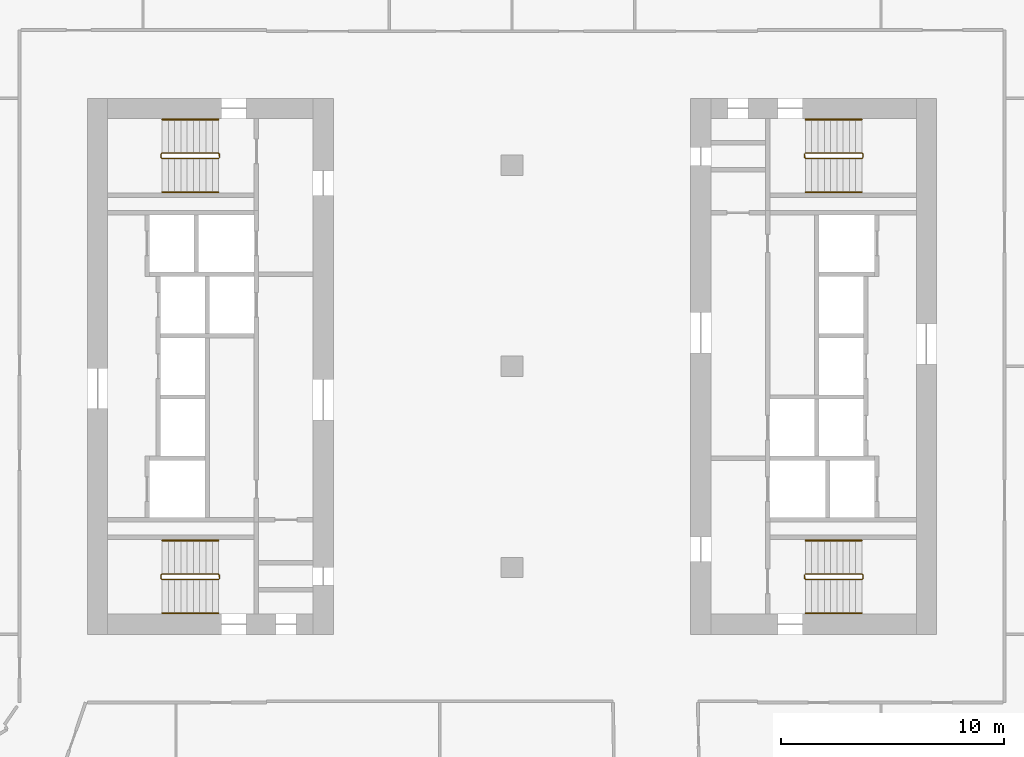
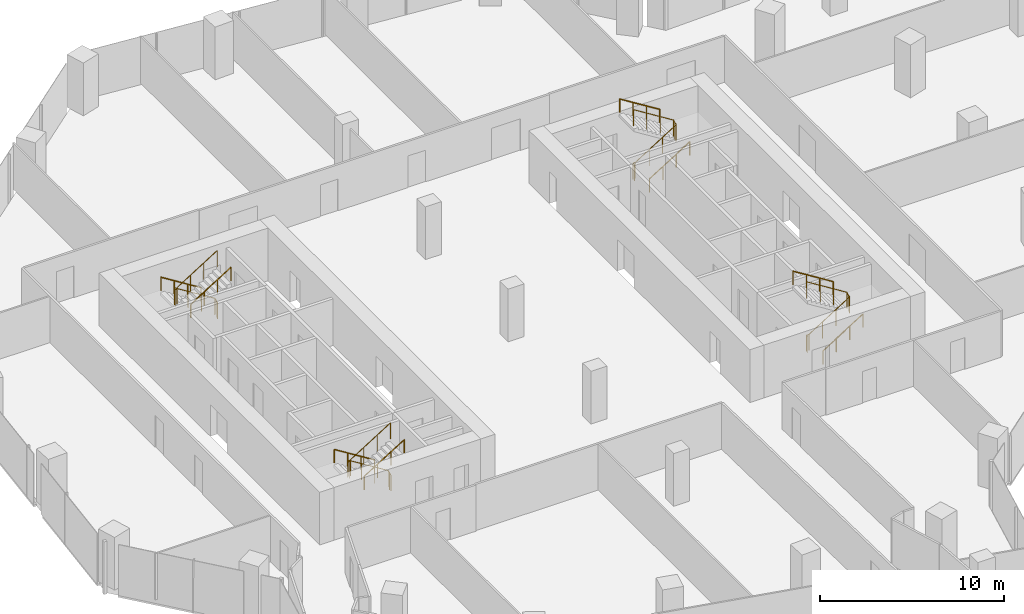
# One storey, part 24 of 24: 12 railings.
"""IFC4 building model written with IfcOpenShell, lengths in metres."""

from ifc_helpers import new_model, si_unit, direction, frame, origin, origin_2d, place, context, subcontext, project, spatial, circle, extrude, material, type_object, element, save


model = new_model("IFC4")

# Units and contexts
model_context = context("Model", 3, precision=1e-05, world=origin(), true_north=direction((0.0, 1.0)))
body_context = subcontext(model_context, "Body", "Model", "MODEL_VIEW")
ifc_project = project(units=[si_unit("LENGTHUNIT", "METRE"), si_unit("AREAUNIT", "SQUARE_METRE"), si_unit("VOLUMEUNIT", "CUBIC_METRE"), si_unit("PLANEANGLEUNIT", "RADIAN"), si_unit("MASSUNIT", "GRAM", prefix="KILO")], contexts=[model_context])

# Site, building, storey
site_placement = place(None, origin())
site = spatial("IfcSite", under=ifc_project, at=site_placement, CompositionType="ELEMENT")
building_placement = place(site_placement, origin())
building = spatial("IfcBuilding", under=site, at=building_placement, Name="Orlundy Tower", CompositionType="ELEMENT")
storey_placement = place(building_placement, frame((0.0, 0.0, 177.60009765625)))
storey = spatial("IfcBuildingStorey", under=building, at=storey_placement, Name="L46", CompositionType="ELEMENT", Elevation=177.60009765625)

# Railings
ifc_material_1 = material(Name="Steel balustrade", Category="steel")
railing_type_1 = type_object("IfcRailingType", Name="Stair Guard 1100", PredefinedType="GUARDRAIL", material=ifc_material_1)
railing_1_placement = place(storey_placement, frame((-13.090087890625, 9.5, 0.0)))
element("IfcRailing", 1, at=railing_1_placement, inside=storey, type_object=railing_type_1, Name="L46 ST-W1 stair guard 1", PredefinedType="GUARDRAIL", context=body_context, shape_type="SweptSolid", body=[
    extrude(circle(Radius=0.02392578125, at=origin_2d()), frame((0.0, 0.0, 1.076171875), z_axis=(0.0, -1.0, 0.0), x_axis=(1.0, 0.0, 0.0)), (0.0, 0.0, 1.0), 0.14990234375),
    extrude(circle(Radius=0.02392578125, at=origin_2d()), frame((0.0, -0.14990234375, 1.076171875), z_axis=(-0.184313129624, 0.739963005698, 0.646902945152), x_axis=(-0.970351222016, -0.241699205484, 0.0)), (0.0, 0.0, 1.0), 0.270263671875),
    extrude(circle(Radius=0.02392578125, at=origin_2d()), frame((-0.0498046875, 0.050048828125, 1.2509765625), z_axis=(-0.847970611238, 0.0, 0.530043245855), x_axis=(0.0, -1.0, 0.0)), (0.0, 0.0, 1.0), 2.971923828125),
    extrude(circle(Radius=0.02392578125, at=origin_2d()), frame((-2.56982421875, 0.050048828125, 2.826171875), z_axis=(-0.707106781187, -0.707106781187, 0.0), x_axis=(0.707106781187, -0.707106781187, 0.0)), (0.0, 0.0, 1.0), 0.07080078125),
    extrude(circle(Radius=0.02392578125, at=origin_2d()), frame((-2.619873046875, 0.0, 2.826171875), z_axis=(0.0, -1.0, 0.0), x_axis=(1.0, 0.0, 0.0)), (0.0, 0.0, 1.0), 0.14990234375),
    extrude(circle(Radius=0.02392578125, at=origin_2d()), frame((-2.619873046875, -0.14990234375, 2.826171875), z_axis=(0.265383341853, -0.265383341853, 0.926899867156), x_axis=(0.707106781187, 0.707106781187, 0.0)), (0.0, 0.0, 1.0), 0.1884765625),
    extrude(circle(Radius=0.02392578125, at=origin_2d()), frame((-2.56982421875, -0.199951171875, 3.0009765625), z_axis=(0.847970611238, 0.0, 0.530043245855), x_axis=(0.0, 1.0, 0.0)), (0.0, 0.0, 1.0), 2.971923828125),
    extrude(circle(Radius=0.02099609375, at=origin_2d()), origin(), (0.0, 0.0, 1.0), 1.052001953125),
    extrude(circle(Radius=0.02099609375, at=origin_2d()), frame((0.0, -0.14990234375, 0.0)), (0.0, 0.0, 1.0), 1.052001953125),
    extrude(circle(Radius=0.02099609375, at=origin_2d()), frame((-0.0498046875, 0.050048828125, 0.1748046875)), (0.0, 0.0, 1.0), 1.052001953125),
    extrude(circle(Radius=0.02099609375, at=origin_2d()), frame((-0.889892578125, 0.050048828125, 0.699951171875)), (0.0, 0.0, 1.0), 1.052001953125),
    extrude(circle(Radius=0.02099609375, at=origin_2d()), frame((-1.729736328125, 0.050048828125, 1.224853515625)), (0.0, 0.0, 1.0), 1.052001953125),
    extrude(circle(Radius=0.02099609375, at=origin_2d()), frame((-2.56982421875, 0.050048828125, 1.75)), (0.0, 0.0, 1.0), 1.052001953125),
    extrude(circle(Radius=0.02099609375, at=origin_2d()), frame((-2.619873046875, 0.0, 1.75)), (0.0, 0.0, 1.0), 1.052001953125),
    extrude(circle(Radius=0.02099609375, at=origin_2d()), frame((-2.619873046875, -0.14990234375, 1.75)), (0.0, 0.0, 1.0), 1.052001953125),
    extrude(circle(Radius=0.02099609375, at=origin_2d()), frame((-2.56982421875, -0.199951171875, 1.9248046875)), (0.0, 0.0, 1.0), 1.052001953125),
    extrude(circle(Radius=0.02099609375, at=origin_2d()), frame((-1.729736328125, -0.199951171875, 2.449951171875)), (0.0, 0.0, 1.0), 1.052001953125),
    extrude(circle(Radius=0.02099609375, at=origin_2d()), frame((-0.889892578125, -0.199951171875, 2.974853515625)), (0.0, 0.0, 1.0), 1.052001953125),
    extrude(circle(Radius=0.02099609375, at=origin_2d()), frame((-0.0498046875, -0.199951171875, 3.5)), (0.0, 0.0, 1.0), 1.052001953125),
])
railing_2_placement = place(storey_placement, frame((-13.090087890625, -9.35009765625, 0.0)))
element("IfcRailing", 2, at=railing_2_placement, inside=storey, type_object=railing_type_1, Name="L46 ST-W2 stair guard 1", PredefinedType="GUARDRAIL", context=body_context, shape_type="SweptSolid", body=[
    extrude(circle(Radius=0.02392578125, at=origin_2d()), frame((0.0, 0.0, 1.076171875), z_axis=(0.0, -1.0, 0.0), x_axis=(1.0, 0.0, 0.0)), (0.0, 0.0, 1.0), 0.14990234375),
    extrude(circle(Radius=0.02392578125, at=origin_2d()), frame((0.0, -0.14990234375, 1.076171875), z_axis=(-0.184313129624, 0.739963005698, 0.646902945152), x_axis=(-0.970351222016, -0.241699205484, 0.0)), (0.0, 0.0, 1.0), 0.270263671875),
    extrude(circle(Radius=0.02392578125, at=origin_2d()), frame((-0.0498046875, 0.050048828125, 1.2509765625), z_axis=(-0.847970611238, 0.0, 0.530043245855), x_axis=(0.0, -1.0, 0.0)), (0.0, 0.0, 1.0), 2.971923828125),
    extrude(circle(Radius=0.02392578125, at=origin_2d()), frame((-2.56982421875, 0.050048828125, 2.826171875), z_axis=(-0.707106781187, -0.707106781187, 0.0), x_axis=(0.707106781187, -0.707106781187, 0.0)), (0.0, 0.0, 1.0), 0.07080078125),
    extrude(circle(Radius=0.02392578125, at=origin_2d()), frame((-2.619873046875, 0.0, 2.826171875), z_axis=(0.0, -1.0, 0.0), x_axis=(1.0, 0.0, 0.0)), (0.0, 0.0, 1.0), 0.14990234375),
    extrude(circle(Radius=0.02392578125, at=origin_2d()), frame((-2.619873046875, -0.14990234375, 2.826171875), z_axis=(0.265383341853, -0.265383341853, 0.926899867156), x_axis=(0.707106781187, 0.707106781187, 0.0)), (0.0, 0.0, 1.0), 0.1884765625),
    extrude(circle(Radius=0.02392578125, at=origin_2d()), frame((-2.56982421875, -0.199951171875, 3.0009765625), z_axis=(0.847970611238, 0.0, 0.530043245855), x_axis=(0.0, 1.0, 0.0)), (0.0, 0.0, 1.0), 2.971923828125),
    extrude(circle(Radius=0.02099609375, at=origin_2d()), origin(), (0.0, 0.0, 1.0), 1.052001953125),
    extrude(circle(Radius=0.02099609375, at=origin_2d()), frame((0.0, -0.14990234375, 0.0)), (0.0, 0.0, 1.0), 1.052001953125),
    extrude(circle(Radius=0.02099609375, at=origin_2d()), frame((-0.0498046875, 0.050048828125, 0.1748046875)), (0.0, 0.0, 1.0), 1.052001953125),
    extrude(circle(Radius=0.02099609375, at=origin_2d()), frame((-0.889892578125, 0.050048828125, 0.699951171875)), (0.0, 0.0, 1.0), 1.052001953125),
    extrude(circle(Radius=0.02099609375, at=origin_2d()), frame((-1.729736328125, 0.050048828125, 1.224853515625)), (0.0, 0.0, 1.0), 1.052001953125),
    extrude(circle(Radius=0.02099609375, at=origin_2d()), frame((-2.56982421875, 0.050048828125, 1.75)), (0.0, 0.0, 1.0), 1.052001953125),
    extrude(circle(Radius=0.02099609375, at=origin_2d()), frame((-2.619873046875, 0.0, 1.75)), (0.0, 0.0, 1.0), 1.052001953125),
    extrude(circle(Radius=0.02099609375, at=origin_2d()), frame((-2.619873046875, -0.14990234375, 1.75)), (0.0, 0.0, 1.0), 1.052001953125),
    extrude(circle(Radius=0.02099609375, at=origin_2d()), frame((-2.56982421875, -0.199951171875, 1.9248046875)), (0.0, 0.0, 1.0), 1.052001953125),
    extrude(circle(Radius=0.02099609375, at=origin_2d()), frame((-1.729736328125, -0.199951171875, 2.449951171875)), (0.0, 0.0, 1.0), 1.052001953125),
    extrude(circle(Radius=0.02099609375, at=origin_2d()), frame((-0.889892578125, -0.199951171875, 2.974853515625)), (0.0, 0.0, 1.0), 1.052001953125),
    extrude(circle(Radius=0.02099609375, at=origin_2d()), frame((-0.0498046875, -0.199951171875, 3.5)), (0.0, 0.0, 1.0), 1.052001953125),
])
railing_3_placement = place(storey_placement, frame((13.090087890625, -9.5, 0.0)))
element("IfcRailing", 3, at=railing_3_placement, inside=storey, type_object=railing_type_1, Name="L46 ST-E1 stair guard 1", PredefinedType="GUARDRAIL", context=body_context, shape_type="SweptSolid", body=[
    extrude(circle(Radius=0.02392578125, at=origin_2d()), frame((0.0, 0.0, 1.076171875), z_axis=(0.0, 1.0, 0.0), x_axis=(-1.0, 0.0, 0.0)), (0.0, 0.0, 1.0), 0.14990234375),
    extrude(circle(Radius=0.02392578125, at=origin_2d()), frame((0.0, 0.14990234375, 1.076171875), z_axis=(0.184313129624, -0.739963005698, 0.646902945152), x_axis=(0.970351222016, 0.241699205484, 0.0)), (0.0, 0.0, 1.0), 0.270263671875),
    extrude(circle(Radius=0.02392578125, at=origin_2d()), frame((0.0498046875, -0.050048828125, 1.2509765625), z_axis=(0.847970611238, 0.0, 0.530043245855), x_axis=(0.0, 1.0, 0.0)), (0.0, 0.0, 1.0), 2.971923828125),
    extrude(circle(Radius=0.02392578125, at=origin_2d()), frame((2.56982421875, -0.050048828125, 2.826171875), z_axis=(0.707106781187, 0.707106781187, 0.0), x_axis=(-0.707106781187, 0.707106781187, 0.0)), (0.0, 0.0, 1.0), 0.07080078125),
    extrude(circle(Radius=0.02392578125, at=origin_2d()), frame((2.619873046875, 0.0, 2.826171875), z_axis=(0.0, 1.0, 0.0), x_axis=(-1.0, 0.0, 0.0)), (0.0, 0.0, 1.0), 0.14990234375),
    extrude(circle(Radius=0.02392578125, at=origin_2d()), frame((2.619873046875, 0.14990234375, 2.826171875), z_axis=(-0.265383341853, 0.265383341853, 0.926899867156), x_axis=(-0.707106781187, -0.707106781187, 0.0)), (0.0, 0.0, 1.0), 0.1884765625),
    extrude(circle(Radius=0.02392578125, at=origin_2d()), frame((2.56982421875, 0.199951171875, 3.0009765625), z_axis=(-0.847970611238, 0.0, 0.530043245855), x_axis=(0.0, -1.0, 0.0)), (0.0, 0.0, 1.0), 2.971923828125),
    extrude(circle(Radius=0.02099609375, at=origin_2d()), origin(), (0.0, 0.0, 1.0), 1.052001953125),
    extrude(circle(Radius=0.02099609375, at=origin_2d()), frame((0.0, 0.14990234375, 0.0)), (0.0, 0.0, 1.0), 1.052001953125),
    extrude(circle(Radius=0.02099609375, at=origin_2d()), frame((0.0498046875, -0.050048828125, 0.1748046875)), (0.0, 0.0, 1.0), 1.052001953125),
    extrude(circle(Radius=0.02099609375, at=origin_2d()), frame((0.889892578125, -0.050048828125, 0.699951171875)), (0.0, 0.0, 1.0), 1.052001953125),
    extrude(circle(Radius=0.02099609375, at=origin_2d()), frame((1.729736328125, -0.050048828125, 1.224853515625)), (0.0, 0.0, 1.0), 1.052001953125),
    extrude(circle(Radius=0.02099609375, at=origin_2d()), frame((2.56982421875, -0.050048828125, 1.75)), (0.0, 0.0, 1.0), 1.052001953125),
    extrude(circle(Radius=0.02099609375, at=origin_2d()), frame((2.619873046875, 0.0, 1.75)), (0.0, 0.0, 1.0), 1.052001953125),
    extrude(circle(Radius=0.02099609375, at=origin_2d()), frame((2.619873046875, 0.14990234375, 1.75)), (0.0, 0.0, 1.0), 1.052001953125),
    extrude(circle(Radius=0.02099609375, at=origin_2d()), frame((2.56982421875, 0.199951171875, 1.9248046875)), (0.0, 0.0, 1.0), 1.052001953125),
    extrude(circle(Radius=0.02099609375, at=origin_2d()), frame((1.729736328125, 0.199951171875, 2.449951171875)), (0.0, 0.0, 1.0), 1.052001953125),
    extrude(circle(Radius=0.02099609375, at=origin_2d()), frame((0.889892578125, 0.199951171875, 2.974853515625)), (0.0, 0.0, 1.0), 1.052001953125),
    extrude(circle(Radius=0.02099609375, at=origin_2d()), frame((0.0498046875, 0.199951171875, 3.5)), (0.0, 0.0, 1.0), 1.052001953125),
])
railing_4_placement = place(storey_placement, frame((13.090087890625, 9.35009765625, 0.0)))
element("IfcRailing", 4, at=railing_4_placement, inside=storey, type_object=railing_type_1, Name="L46 ST-E2 stair guard 1", PredefinedType="GUARDRAIL", context=body_context, shape_type="SweptSolid", body=[
    extrude(circle(Radius=0.02392578125, at=origin_2d()), frame((0.0, 0.0, 1.076171875), z_axis=(0.0, 1.0, 0.0), x_axis=(-1.0, 0.0, 0.0)), (0.0, 0.0, 1.0), 0.14990234375),
    extrude(circle(Radius=0.02392578125, at=origin_2d()), frame((0.0, 0.14990234375, 1.076171875), z_axis=(0.184313129624, -0.739963005698, 0.646902945152), x_axis=(0.970351222016, 0.241699205484, 0.0)), (0.0, 0.0, 1.0), 0.270263671875),
    extrude(circle(Radius=0.02392578125, at=origin_2d()), frame((0.0498046875, -0.050048828125, 1.2509765625), z_axis=(0.847970611238, 0.0, 0.530043245855), x_axis=(0.0, 1.0, 0.0)), (0.0, 0.0, 1.0), 2.971923828125),
    extrude(circle(Radius=0.02392578125, at=origin_2d()), frame((2.56982421875, -0.050048828125, 2.826171875), z_axis=(0.707106781187, 0.707106781187, 0.0), x_axis=(-0.707106781187, 0.707106781187, 0.0)), (0.0, 0.0, 1.0), 0.07080078125),
    extrude(circle(Radius=0.02392578125, at=origin_2d()), frame((2.619873046875, 0.0, 2.826171875), z_axis=(0.0, 1.0, 0.0), x_axis=(-1.0, 0.0, 0.0)), (0.0, 0.0, 1.0), 0.14990234375),
    extrude(circle(Radius=0.02392578125, at=origin_2d()), frame((2.619873046875, 0.14990234375, 2.826171875), z_axis=(-0.265383341853, 0.265383341853, 0.926899867156), x_axis=(-0.707106781187, -0.707106781187, 0.0)), (0.0, 0.0, 1.0), 0.1884765625),
    extrude(circle(Radius=0.02392578125, at=origin_2d()), frame((2.56982421875, 0.199951171875, 3.0009765625), z_axis=(-0.847970611238, 0.0, 0.530043245855), x_axis=(0.0, -1.0, 0.0)), (0.0, 0.0, 1.0), 2.971923828125),
    extrude(circle(Radius=0.02099609375, at=origin_2d()), origin(), (0.0, 0.0, 1.0), 1.052001953125),
    extrude(circle(Radius=0.02099609375, at=origin_2d()), frame((0.0, 0.14990234375, 0.0)), (0.0, 0.0, 1.0), 1.052001953125),
    extrude(circle(Radius=0.02099609375, at=origin_2d()), frame((0.0498046875, -0.050048828125, 0.1748046875)), (0.0, 0.0, 1.0), 1.052001953125),
    extrude(circle(Radius=0.02099609375, at=origin_2d()), frame((0.889892578125, -0.050048828125, 0.699951171875)), (0.0, 0.0, 1.0), 1.052001953125),
    extrude(circle(Radius=0.02099609375, at=origin_2d()), frame((1.729736328125, -0.050048828125, 1.224853515625)), (0.0, 0.0, 1.0), 1.052001953125),
    extrude(circle(Radius=0.02099609375, at=origin_2d()), frame((2.56982421875, -0.050048828125, 1.75)), (0.0, 0.0, 1.0), 1.052001953125),
    extrude(circle(Radius=0.02099609375, at=origin_2d()), frame((2.619873046875, 0.0, 1.75)), (0.0, 0.0, 1.0), 1.052001953125),
    extrude(circle(Radius=0.02099609375, at=origin_2d()), frame((2.619873046875, 0.14990234375, 1.75)), (0.0, 0.0, 1.0), 1.052001953125),
    extrude(circle(Radius=0.02099609375, at=origin_2d()), frame((2.56982421875, 0.199951171875, 1.9248046875)), (0.0, 0.0, 1.0), 1.052001953125),
    extrude(circle(Radius=0.02099609375, at=origin_2d()), frame((1.729736328125, 0.199951171875, 2.449951171875)), (0.0, 0.0, 1.0), 1.052001953125),
    extrude(circle(Radius=0.02099609375, at=origin_2d()), frame((0.889892578125, 0.199951171875, 2.974853515625)), (0.0, 0.0, 1.0), 1.052001953125),
    extrude(circle(Radius=0.02099609375, at=origin_2d()), frame((0.0498046875, 0.199951171875, 3.5)), (0.0, 0.0, 1.0), 1.052001953125),
])
ifc_material_2 = material(Name="Steel handrail", Category="steel")
railing_type_2 = type_object("IfcRailingType", Name="Stair Handrail 900", PredefinedType="HANDRAIL", material=ifc_material_2)
railing_5_placement = place(storey_placement, frame((-13.139892578125, 11.050048828125, 0.1748046875)))
element("IfcRailing", 5, at=railing_5_placement, inside=storey, type_object=railing_type_2, Name="L46 ST-W1 stair handrail 1", PredefinedType="HANDRAIL", context=body_context, shape_type="SweptSolid", body=[
    extrude(circle(Radius=0.02392578125, at=origin_2d()), frame((0.0, 0.0, 0.8759765625), z_axis=(-0.847970611238, 0.0, 0.530043245855), x_axis=(0.0, -1.0, 0.0)), (0.0, 0.0, 1.0), 2.971923828125),
    extrude(circle(Radius=0.02099609375, at=origin_2d()), origin(), (0.0, 0.0, 1.0), 0.851806640625),
    extrude(circle(Radius=0.02099609375, at=origin_2d()), frame((-0.840087890625, 0.0, 0.525146484375)), (0.0, 0.0, 1.0), 0.851806640625),
    extrude(circle(Radius=0.02099609375, at=origin_2d()), frame((-1.679931640625, 0.0, 1.050048828125)), (0.0, 0.0, 1.0), 0.851806640625),
    extrude(circle(Radius=0.02099609375, at=origin_2d()), frame((-2.52001953125, 0.0, 1.5751953125)), (0.0, 0.0, 1.0), 0.851806640625),
])
railing_6_placement = place(storey_placement, frame((-15.659912109375, 7.800048828125, 1.9248046875)))
element("IfcRailing", 6, at=railing_6_placement, inside=storey, type_object=railing_type_2, Name="L46 ST-W1 stair handrail 2", PredefinedType="HANDRAIL", context=body_context, shape_type="SweptSolid", body=[
    extrude(circle(Radius=0.02392578125, at=origin_2d()), frame((0.0, 0.0, 0.8759765625), z_axis=(0.847970611238, 0.0, 0.530043245855), x_axis=(0.0, 1.0, 0.0)), (0.0, 0.0, 1.0), 2.971923828125),
    extrude(circle(Radius=0.02099609375, at=origin_2d()), origin(), (0.0, 0.0, 1.0), 0.851806640625),
    extrude(circle(Radius=0.02099609375, at=origin_2d()), frame((0.840087890625, 0.0, 0.525146484375)), (0.0, 0.0, 1.0), 0.851806640625),
    extrude(circle(Radius=0.02099609375, at=origin_2d()), frame((1.679931640625, 0.0, 1.050048828125)), (0.0, 0.0, 1.0), 0.851806640625),
    extrude(circle(Radius=0.02099609375, at=origin_2d()), frame((2.52001953125, 0.0, 1.5751953125)), (0.0, 0.0, 1.0), 0.851806640625),
])
railing_7_placement = place(storey_placement, frame((-13.139892578125, -7.800048828125, 0.1748046875)))
element("IfcRailing", 7, at=railing_7_placement, inside=storey, type_object=railing_type_2, Name="L46 ST-W2 stair handrail 1", PredefinedType="HANDRAIL", context=body_context, shape_type="SweptSolid", body=[
    extrude(circle(Radius=0.02392578125, at=origin_2d()), frame((0.0, 0.0, 0.8759765625), z_axis=(-0.847970611238, 0.0, 0.530043245855), x_axis=(0.0, -1.0, 0.0)), (0.0, 0.0, 1.0), 2.971923828125),
    extrude(circle(Radius=0.02099609375, at=origin_2d()), origin(), (0.0, 0.0, 1.0), 0.851806640625),
    extrude(circle(Radius=0.02099609375, at=origin_2d()), frame((-0.840087890625, 0.0, 0.525146484375)), (0.0, 0.0, 1.0), 0.851806640625),
    extrude(circle(Radius=0.02099609375, at=origin_2d()), frame((-1.679931640625, 0.0, 1.050048828125)), (0.0, 0.0, 1.0), 0.851806640625),
    extrude(circle(Radius=0.02099609375, at=origin_2d()), frame((-2.52001953125, 0.0, 1.5751953125)), (0.0, 0.0, 1.0), 0.851806640625),
])
for number, where, name in (
    (8, (-15.659912109375, -11.050048828125, 1.9248046875), "L46 ST-W2 stair handrail 2"),
    (9, (13.139892578125, -11.050048828125, 0.1748046875), "L46 ST-E1 stair handrail 1"),
):
    element("IfcRailing", number, at=place(storey_placement, frame(where)), inside=storey, type_object=railing_type_2, Name=name, PredefinedType="HANDRAIL", context=body_context, shape_type="SweptSolid", body=[
        extrude(circle(Radius=0.02392578125, at=origin_2d()), frame((0.0, 0.0, 0.8759765625), z_axis=(0.847970611238, 0.0, 0.530043245855), x_axis=(0.0, 1.0, 0.0)), (0.0, 0.0, 1.0), 2.971923828125),
        extrude(circle(Radius=0.02099609375, at=origin_2d()), origin(), (0.0, 0.0, 1.0), 0.851806640625),
        extrude(circle(Radius=0.02099609375, at=origin_2d()), frame((0.840087890625, 0.0, 0.525146484375)), (0.0, 0.0, 1.0), 0.851806640625),
        extrude(circle(Radius=0.02099609375, at=origin_2d()), frame((1.679931640625, 0.0, 1.050048828125)), (0.0, 0.0, 1.0), 0.851806640625),
        extrude(circle(Radius=0.02099609375, at=origin_2d()), frame((2.52001953125, 0.0, 1.5751953125)), (0.0, 0.0, 1.0), 0.851806640625),
    ])
railing_8_placement = place(storey_placement, frame((15.659912109375, -7.800048828125, 1.9248046875)))
element("IfcRailing", 10, at=railing_8_placement, inside=storey, type_object=railing_type_2, Name="L46 ST-E1 stair handrail 2", PredefinedType="HANDRAIL", context=body_context, shape_type="SweptSolid", body=[
    extrude(circle(Radius=0.02392578125, at=origin_2d()), frame((0.0, 0.0, 0.8759765625), z_axis=(-0.847970611238, 0.0, 0.530043245855), x_axis=(0.0, -1.0, 0.0)), (0.0, 0.0, 1.0), 2.971923828125),
    extrude(circle(Radius=0.02099609375, at=origin_2d()), origin(), (0.0, 0.0, 1.0), 0.851806640625),
    extrude(circle(Radius=0.02099609375, at=origin_2d()), frame((-0.840087890625, 0.0, 0.525146484375)), (0.0, 0.0, 1.0), 0.851806640625),
    extrude(circle(Radius=0.02099609375, at=origin_2d()), frame((-1.679931640625, 0.0, 1.050048828125)), (0.0, 0.0, 1.0), 0.851806640625),
    extrude(circle(Radius=0.02099609375, at=origin_2d()), frame((-2.52001953125, 0.0, 1.5751953125)), (0.0, 0.0, 1.0), 0.851806640625),
])
railing_9_placement = place(storey_placement, frame((13.139892578125, 7.800048828125, 0.1748046875)))
element("IfcRailing", 11, at=railing_9_placement, inside=storey, type_object=railing_type_2, Name="L46 ST-E2 stair handrail 1", PredefinedType="HANDRAIL", context=body_context, shape_type="SweptSolid", body=[
    extrude(circle(Radius=0.02392578125, at=origin_2d()), frame((0.0, 0.0, 0.8759765625), z_axis=(0.847970611238, 0.0, 0.530043245855), x_axis=(0.0, 1.0, 0.0)), (0.0, 0.0, 1.0), 2.971923828125),
    extrude(circle(Radius=0.02099609375, at=origin_2d()), origin(), (0.0, 0.0, 1.0), 0.851806640625),
    extrude(circle(Radius=0.02099609375, at=origin_2d()), frame((0.840087890625, 0.0, 0.525146484375)), (0.0, 0.0, 1.0), 0.851806640625),
    extrude(circle(Radius=0.02099609375, at=origin_2d()), frame((1.679931640625, 0.0, 1.050048828125)), (0.0, 0.0, 1.0), 0.851806640625),
    extrude(circle(Radius=0.02099609375, at=origin_2d()), frame((2.52001953125, 0.0, 1.5751953125)), (0.0, 0.0, 1.0), 0.851806640625),
])
railing_10_placement = place(storey_placement, frame((15.659912109375, 11.050048828125, 1.9248046875)))
element("IfcRailing", 12, at=railing_10_placement, inside=storey, type_object=railing_type_2, Name="L46 ST-E2 stair handrail 2", PredefinedType="HANDRAIL", context=body_context, shape_type="SweptSolid", body=[
    extrude(circle(Radius=0.02392578125, at=origin_2d()), frame((0.0, 0.0, 0.8759765625), z_axis=(-0.847970611238, 0.0, 0.530043245855), x_axis=(0.0, -1.0, 0.0)), (0.0, 0.0, 1.0), 2.971923828125),
    extrude(circle(Radius=0.02099609375, at=origin_2d()), origin(), (0.0, 0.0, 1.0), 0.851806640625),
    extrude(circle(Radius=0.02099609375, at=origin_2d()), frame((-0.840087890625, 0.0, 0.525146484375)), (0.0, 0.0, 1.0), 0.851806640625),
    extrude(circle(Radius=0.02099609375, at=origin_2d()), frame((-1.679931640625, 0.0, 1.050048828125)), (0.0, 0.0, 1.0), 0.851806640625),
    extrude(circle(Radius=0.02099609375, at=origin_2d()), frame((-2.52001953125, 0.0, 1.5751953125)), (0.0, 0.0, 1.0), 0.851806640625),
])

save(model, "model.ifc")
